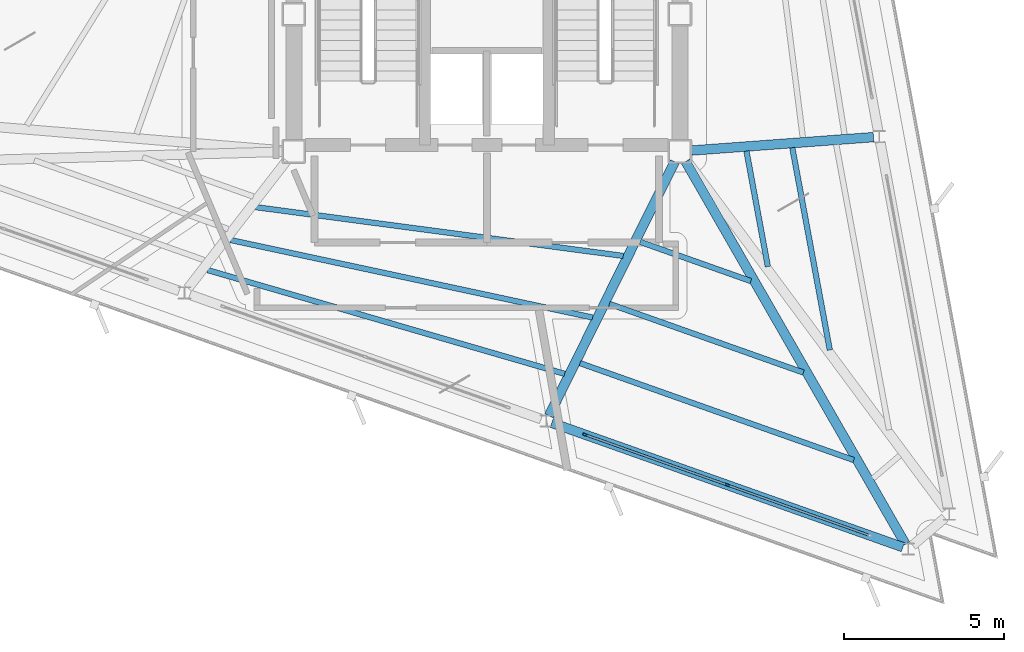
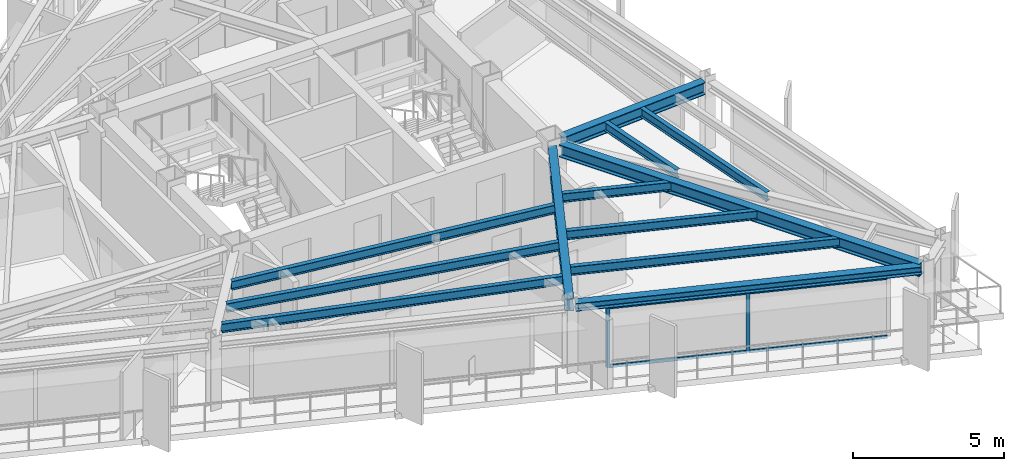
# One storey, part 3 of 14: 12 beams, 6 members, 1 element without a shape of its own.
"""IFC4 building model written with IfcOpenShell, lengths in metres."""

from ifc_helpers import new_model, si_unit, direction, frame, origin, origin_2d, place, context, subcontext, project, spatial, rectangle, i_section, extrude, material, layer, layer_set, material_profile, profile_set, type_object, element, aggregate, save


model = new_model("IFC4")

# Units and contexts
model_context = context("Model", 3, precision=1e-05, world=origin(), true_north=direction((0.0, 1.0)))
body_context = subcontext(model_context, "Body", "Model", "MODEL_VIEW")
ifc_project = project(units=[si_unit("LENGTHUNIT", "METRE"), si_unit("AREAUNIT", "SQUARE_METRE"), si_unit("VOLUMEUNIT", "CUBIC_METRE"), si_unit("PLANEANGLEUNIT", "RADIAN"), si_unit("MASSUNIT", "GRAM", prefix="KILO")], contexts=[model_context])

# Site, building, storey
site_placement = place(None, origin())
site = spatial("IfcSite", under=ifc_project, at=site_placement, CompositionType="ELEMENT")
building_placement = place(site_placement, origin())
building = spatial("IfcBuilding", under=site, at=building_placement, Name="Rocaltana Carrier Exchange", CompositionType="ELEMENT")
storey_placement = place(building_placement, frame((0.0, 0.0, 187.52001953125)))
storey = spatial("IfcBuildingStorey", under=building, at=storey_placement, Name="L59", CompositionType="ELEMENT", Elevation=187.52001953125)

# Curtain wall, members
ifc_material_1 = material(Name="Aluminium 6063-T6", Category="aluminium")
ifc_layer = layer(ifc_material_1, 0.135009765625)
ifc_layer_set = layer_set([ifc_layer], Name="Aluminium 6063-T6")
curtain_wall_type = type_object("IfcCurtainWallType", Name="Upper-Mid Acoustic Curtain Wall CW-04", PredefinedType="NOTDEFINED", material=ifc_layer_set)
curtain_wall_placement = place(storey_placement, origin())
curtain_wall = element("IfcCurtainWall", 1, at=curtain_wall_placement, inside=storey, type_object=curtain_wall_type, Name="L59 CW-04 Run CW-L59-F3S3", PredefinedType="NOTDEFINED")
ifc_material_2 = material(Name="Aluminium 6063-T6", Category="aluminium")
ifc_material_profile_1 = material_profile(ifc_material_2, rectangle(XDim=0.06494140625, YDim=0.135009765625, at=origin_2d()), Name="AL-65X135")
ifc_profile_set_1 = profile_set([ifc_material_profile_1], Name="Aluminium 6063-T6")
member_type_1 = type_object("IfcMemberType", Name="CW-04 Mullion AL-65X135", PredefinedType="MULLION", material=ifc_profile_set_1)
member_1_placement = place(storey_placement, frame((3.0771484375, -13.177001953125, 0.0), z_axis=(0.0, 0.0, 1.0), x_axis=(0.333798791936, 0.942644347833, 0.0)))
member_1 = element("IfcMember", 2, at=member_1_placement, type_object=member_type_1, Name="CW-04 mullion 1", PredefinedType="MULLION", context=body_context, shape_type="SweptSolid", body=[
    extrude(rectangle(XDim=0.06494140625, YDim=0.135009765625, at=origin_2d()), origin(), (0.0, 0.0, 1.0), 2.447998046875),
])
member_2_placement = place(storey_placement, frame((7.539794921875, -14.757080078125, 0.0), z_axis=(0.0, 0.0, 1.0), x_axis=(0.333798791936, 0.942644347833, 0.0)))
member_2 = element("IfcMember", 3, at=member_2_placement, type_object=member_type_1, Name="CW-04 mullion 2", PredefinedType="MULLION", context=body_context, shape_type="SweptSolid", body=[
    extrude(rectangle(XDim=0.06494140625, YDim=0.135009765625, at=origin_2d()), origin(), (0.0, 0.0, 1.0), 2.447998046875),
])
ifc_material_3 = material(Name="Aluminium 6063-T6", Category="aluminium")
ifc_material_profile_2 = material_profile(ifc_material_3, rectangle(XDim=0.06494140625, YDim=0.135009765625, at=origin_2d()), Name="AL-65X135")
ifc_profile_set_2 = profile_set([ifc_material_profile_2], Name="Aluminium 6063-T6")
member_type_2 = type_object("IfcMemberType", Name="CW-04 Transom AL-65X135", PredefinedType="USERDEFINED", material=ifc_profile_set_2)
member_3_placement = place(storey_placement, frame((3.107666015625, -13.187744140625, 0.032470703125), z_axis=(0.942642307572, -0.333804553558, 0.0), x_axis=(0.333804553558, 0.942642307572, 0.0)))
member_3 = element("IfcMember", 4, at=member_3_placement, type_object=member_type_2, Name="CW-04 transom 1.1", ObjectType="TRANSOM", PredefinedType="USERDEFINED", context=body_context, shape_type="SweptSolid", body=[
    extrude(rectangle(XDim=0.06494140625, YDim=0.135009765625, at=origin_2d()), origin(), (0.0, 0.0, 1.0), 4.669189453125),
])
member_4_placement = place(storey_placement, frame((3.107666015625, -13.187744140625, 2.41552734375), z_axis=(0.942642307572, -0.333804553558, 0.0), x_axis=(0.333804553558, 0.942642307572, 0.0)))
member_4 = element("IfcMember", 5, at=member_4_placement, type_object=member_type_2, Name="CW-04 transom 1.2", ObjectType="TRANSOM", PredefinedType="USERDEFINED", context=body_context, shape_type="SweptSolid", body=[
    extrude(rectangle(XDim=0.06494140625, YDim=0.135009765625, at=origin_2d()), origin(), (0.0, 0.0, 1.0), 4.669189453125),
])
member_5_placement = place(storey_placement, frame((7.5703125, -14.76806640625, 0.032470703125), z_axis=(0.942642307572, -0.333804553558, 0.0), x_axis=(0.333804553558, 0.942642307572, 0.0)))
member_5 = element("IfcMember", 6, at=member_5_placement, type_object=member_type_2, Name="CW-04 transom 2.1", ObjectType="TRANSOM", PredefinedType="USERDEFINED", context=body_context, shape_type="SweptSolid", body=[
    extrude(rectangle(XDim=0.06494140625, YDim=0.135009765625, at=origin_2d()), origin(), (0.0, 0.0, 1.0), 4.669189453125),
])
member_6_placement = place(storey_placement, frame((7.5703125, -14.76806640625, 2.41552734375), z_axis=(0.942642307572, -0.333804553558, 0.0), x_axis=(0.333804553558, 0.942642307572, 0.0)))
member_6 = element("IfcMember", 7, at=member_6_placement, type_object=member_type_2, Name="CW-04 transom 2.2", ObjectType="TRANSOM", PredefinedType="USERDEFINED", context=body_context, shape_type="SweptSolid", body=[
    extrude(rectangle(XDim=0.06494140625, YDim=0.135009765625, at=origin_2d()), origin(), (0.0, 0.0, 1.0), 4.669189453125),
])
aggregate(curtain_wall, [member_1, member_2, member_3, member_4, member_5, member_6])

# Beams
ifc_material_4 = material(Name="Steel S355", Category="steel")
ifc_material_profile_3 = material_profile(ifc_material_4, i_section(OverallWidth=0.172119140625, OverallDepth=0.35791015625, WebThickness=0.0078125, FlangeThickness=0.01318359375, FilletRadius=0.011962890625, at=origin_2d()), Name="W14X38")
ifc_profile_set_3 = profile_set([ifc_material_profile_3], Name="Steel S355")
beam_type_1 = type_object("IfcBeamType", Name="Floor Joist W14X38", PredefinedType="JOIST", material=ifc_profile_set_3)
beam_1_placement = place(storey_placement, frame((8.809814453125, -7.910888671875, 2.618896484375), z_axis=(-0.182226934398, 0.98325649979, 0.0), x_axis=(-0.98325649979, -0.182226934398, 0.0)))
element("IfcBeam", 8, at=beam_1_placement, inside=storey, type_object=beam_type_1, Name="FJ-L59-01-1", PredefinedType="JOIST", context=body_context, shape_type="SweptSolid", body=[
    extrude(i_section(OverallWidth=0.172119140625, OverallDepth=0.35791015625, WebThickness=0.0078125, FlangeThickness=0.01318359375, FilletRadius=0.011962890625, at=origin_2d()), origin(), (0.0, 0.0, 1.0), 3.68310546875),
])
beam_2_placement = place(storey_placement, frame((10.751708984375, -10.5263671875, 2.618896484375), z_axis=(-0.18226814906, 0.983248860583, 0.0), x_axis=(-0.983248860583, -0.18226814906, 0.0)))
element("IfcBeam", 9, at=beam_2_placement, inside=storey, type_object=beam_type_1, Name="FJ-L59-01-2", PredefinedType="JOIST", context=body_context, shape_type="SweptSolid", body=[
    extrude(i_section(OverallWidth=0.172119140625, OverallDepth=0.35791015625, WebThickness=0.0078125, FlangeThickness=0.01318359375, FilletRadius=0.011962890625, at=origin_2d()), origin(), (0.0, 0.0, 1.0), 6.450927734375),
])
beam_3_placement = place(storey_placement, frame((-7.242919921875, -6.04736328125, 2.618896484375), z_axis=(0.991307721648, -0.131563676599, 0.0), x_axis=(0.131563676599, 0.991307721648, 0.0)))
element("IfcBeam", 10, at=beam_3_placement, inside=storey, type_object=beam_type_1, Name="FJ-L59-10-1", PredefinedType="JOIST", context=body_context, shape_type="SweptSolid", body=[
    extrude(i_section(OverallWidth=0.172119140625, OverallDepth=0.35791015625, WebThickness=0.0078125, FlangeThickness=0.01318359375, FilletRadius=0.011962890625, at=origin_2d()), origin(), (0.0, 0.0, 1.0), 11.620361328125),
])
beam_4_placement = place(storey_placement, frame((-8.03271484375, -7.077880859375, 2.618896484375), z_axis=(0.977833801709, -0.209382559528, 0.0), x_axis=(0.209382559528, 0.977833801709, 0.0)))
element("IfcBeam", 11, at=beam_4_placement, inside=storey, type_object=beam_type_1, Name="FJ-L59-10-2", PredefinedType="JOIST", context=body_context, shape_type="SweptSolid", body=[
    extrude(i_section(OverallWidth=0.172119140625, OverallDepth=0.35791015625, WebThickness=0.0078125, FlangeThickness=0.01318359375, FilletRadius=0.011962890625, at=origin_2d()), origin(), (0.0, 0.0, 1.0), 11.6064453125),
])
beam_5_placement = place(storey_placement, frame((-8.75439453125, -8.018798828125, 2.618896484375), z_axis=(0.960273483181, -0.279060634091, 0.0), x_axis=(0.279060634091, 0.960273483181, 0.0)))
element("IfcBeam", 12, at=beam_5_placement, inside=storey, type_object=beam_type_1, Name="FJ-L59-10-3", PredefinedType="JOIST", context=body_context, shape_type="SweptSolid", body=[
    extrude(i_section(OverallWidth=0.172119140625, OverallDepth=0.35791015625, WebThickness=0.0078125, FlangeThickness=0.01318359375, FilletRadius=0.011962890625, at=origin_2d()), origin(), (0.0, 0.0, 1.0), 11.658447265625),
])
beam_6_placement = place(storey_placement, frame((4.8056640625, -7.13623046875, 2.618896484375), z_axis=(0.942660683234, -0.333752657344, 0.0), x_axis=(0.333752657344, 0.942660683234, 0.0)))
element("IfcBeam", 13, at=beam_6_placement, inside=storey, type_object=beam_type_1, Name="FJ-L59-11-1", PredefinedType="JOIST", context=body_context, shape_type="SweptSolid", body=[
    extrude(i_section(OverallWidth=0.172119140625, OverallDepth=0.35791015625, WebThickness=0.0078125, FlangeThickness=0.01318359375, FilletRadius=0.011962890625, at=origin_2d()), origin(), (0.0, 0.0, 1.0), 3.68310546875),
])
beam_7_placement = place(storey_placement, frame((3.843994140625, -9.079345703125, 2.618896484375), z_axis=(0.942637646352, -0.333817716246, 0.0), x_axis=(0.333817716246, 0.942637646352, 0.0)))
element("IfcBeam", 14, at=beam_7_placement, inside=storey, type_object=beam_type_1, Name="FJ-L59-11-2", PredefinedType="JOIST", context=body_context, shape_type="SweptSolid", body=[
    extrude(i_section(OverallWidth=0.172119140625, OverallDepth=0.35791015625, WebThickness=0.0078125, FlangeThickness=0.01318359375, FilletRadius=0.011962890625, at=origin_2d()), origin(), (0.0, 0.0, 1.0), 6.45068359375),
])
beam_8_placement = place(storey_placement, frame((2.923828125, -10.93798828125, 2.618896484375), z_axis=(0.942637076776, -0.333819324616, 0.0), x_axis=(0.333819324616, 0.942637076776, 0.0)))
element("IfcBeam", 15, at=beam_8_placement, inside=storey, type_object=beam_type_1, Name="FJ-L59-11-3", PredefinedType="JOIST", context=body_context, shape_type="SweptSolid", body=[
    extrude(i_section(OverallWidth=0.172119140625, OverallDepth=0.35791015625, WebThickness=0.0078125, FlangeThickness=0.01318359375, FilletRadius=0.011962890625, at=origin_2d()), origin(), (0.0, 0.0, 1.0), 9.09814453125),
])
ifc_material_5 = material(Name="Steel S355", Category="steel")
ifc_material_profile_4 = material_profile(ifc_material_5, i_section(OverallWidth=0.300048828125, OverallDepth=0.320068359375, WebThickness=0.011474609375, FlangeThickness=0.0205078125, FilletRadius=0.027099609375, at=origin_2d()), Name="HEB320")
ifc_profile_set_4 = profile_set([ifc_material_profile_4], Name="Steel S355")
beam_type_2 = type_object("IfcBeamType", Name="Spandrel Edge Beam HEB320", PredefinedType="SPANDREL", material=ifc_profile_set_4)
beam_9_placement = place(storey_placement, frame((2.037353515625, -12.80859375, 2.637939453125), z_axis=(0.942634217319, -0.333827399025, 0.0), x_axis=(0.333827399025, 0.942634217319, 0.0)))
element("IfcBeam", 16, at=beam_9_placement, inside=storey, type_object=beam_type_2, Name="SP-L59-11", PredefinedType="SPANDREL", context=body_context, shape_type="SweptSolid", body=[
    extrude(i_section(OverallWidth=0.300048828125, OverallDepth=0.320068359375, WebThickness=0.011474609375, FlangeThickness=0.0205078125, FilletRadius=0.027099609375, at=origin_2d()), origin(), (0.0, 0.0, 1.0), 11.67431640625),
])
ifc_material_6 = material(Name="Steel S355", Category="steel")
ifc_material_profile_5 = material_profile(ifc_material_6, i_section(OverallWidth=0.300048828125, OverallDepth=0.5, WebThickness=0.014404296875, FlangeThickness=0.028076171875, FilletRadius=0.027099609375, at=origin_2d()), Name="HEB500")
ifc_profile_set_5 = profile_set([ifc_material_profile_5], Name="Steel S355")
beam_type_3 = type_object("IfcBeamType", Name="Upper Radial Girder HEB500", PredefinedType="BEAM", material=ifc_profile_set_5)
beam_10_placement = place(storey_placement, frame((6.416015625, -4.27294921875, 2.548095703125), z_axis=(0.997298528623, 0.073455052973, 0.0), x_axis=(-0.073455052973, 0.997298528623, 0.0)))
element("IfcBeam", 17, at=beam_10_placement, inside=storey, type_object=beam_type_3, Name="RG-L59-02", PredefinedType="BEAM", context=body_context, shape_type="SweptSolid", body=[
    extrude(i_section(OverallWidth=0.300048828125, OverallDepth=0.5, WebThickness=0.014404296875, FlangeThickness=0.028076171875, FilletRadius=0.027099609375, at=origin_2d()), origin(), (0.0, 0.0, 1.0), 5.719970703125),
])
beam_11_placement = place(storey_placement, frame((5.88720703125, -4.62890625, 2.548095703125), z_axis=(-0.443603072525, -0.896223361694, 0.0), x_axis=(0.896223361694, -0.443603072525, 0.0)))
element("IfcBeam", 18, at=beam_11_placement, inside=storey, type_object=beam_type_3, Name="RG-L59-11", PredefinedType="BEAM", context=body_context, shape_type="SweptSolid", body=[
    extrude(i_section(OverallWidth=0.300048828125, OverallDepth=0.5, WebThickness=0.014404296875, FlangeThickness=0.028076171875, FilletRadius=0.027099609375, at=origin_2d()), origin(), (0.0, 0.0, 1.0), 8.880615234375),
])
beam_12_placement = place(storey_placement, frame((6.23291015625, -4.6181640625, 2.548095703125), z_axis=(0.498120506918, -0.867107813705, 0.0), x_axis=(0.867107813705, 0.498120506918, 0.0)))
element("IfcBeam", 19, at=beam_12_placement, inside=storey, type_object=beam_type_3, Name="RG-L59-12", PredefinedType="BEAM", context=body_context, shape_type="SweptSolid", body=[
    extrude(i_section(OverallWidth=0.300048828125, OverallDepth=0.5, WebThickness=0.014404296875, FlangeThickness=0.028076171875, FilletRadius=0.027099609375, at=origin_2d()), origin(), (0.0, 0.0, 1.0), 13.829833984375),
])

save(model, "model.ifc")
